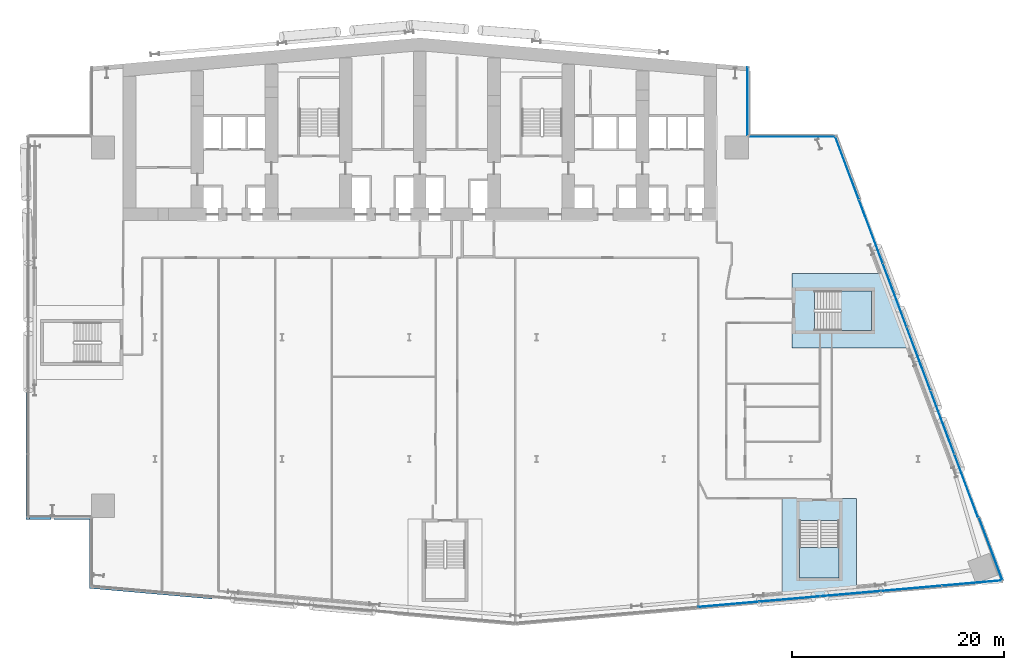
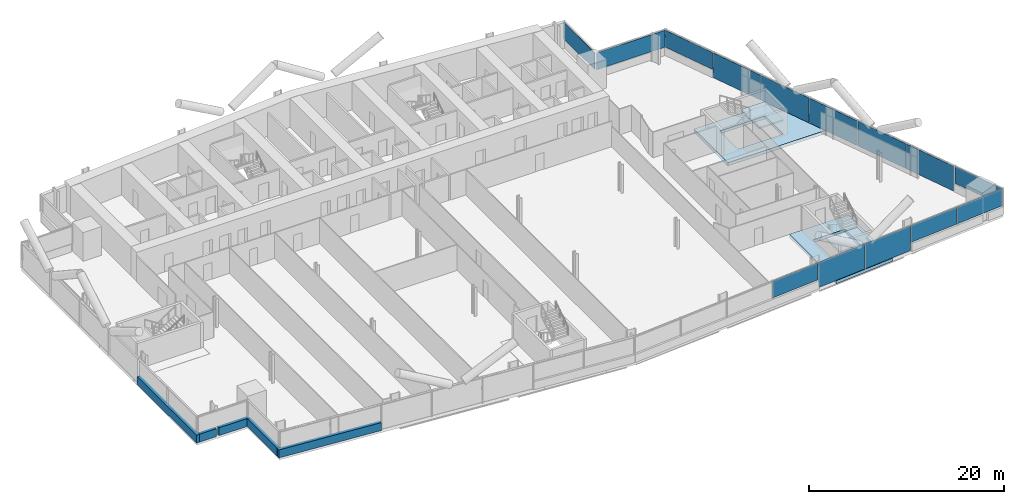
# One storey, part 12 of 25: 14 plates, 5 walls, 4 slabs, 6 elements without a shape of their own.
"""IFC4 building model written with IfcOpenShell, lengths in metres."""

from ifc_helpers import new_model, si_unit, direction, frame, frame_2d, origin, origin_2d, place, context, subcontext, project, spatial, polyline, rectangle, outline, extrude, material, layer, layer_set, type_object, element, aggregate, save


model = new_model("IFC4")

# Units and contexts
model_context = context("Model", 3, precision=1e-05, world=origin(), true_north=direction((0.0, 1.0)))
body_context = subcontext(model_context, "Body", "Model", "MODEL_VIEW")
ifc_project = project(units=[si_unit("LENGTHUNIT", "METRE"), si_unit("AREAUNIT", "SQUARE_METRE"), si_unit("VOLUMEUNIT", "CUBIC_METRE"), si_unit("PLANEANGLEUNIT", "RADIAN"), si_unit("MASSUNIT", "GRAM", prefix="KILO")], contexts=[model_context])

# Site, building, storey
site_placement = place(None, origin())
site = spatial("IfcSite", under=ifc_project, at=site_placement, CompositionType="ELEMENT")
building_placement = place(site_placement, origin())
building = spatial("IfcBuilding", under=site, at=building_placement, Name="Wharfspan Tower", CompositionType="ELEMENT")
storey_placement = place(building_placement, frame((0.0, 0.0, 70.300049)))
storey = spatial("IfcBuildingStorey", under=building, at=storey_placement, Name="L14", CompositionType="ELEMENT", Elevation=70.300049)

# Curtain wall, plates
ifc_material_1 = material(Name="Aluminium 6063-T6", Category="aluminium")
curtain_wall_type_1 = type_object("IfcCurtainWallType", Name="CURTAIN WALL FACETED FRONT", PredefinedType="NOTDEFINED", material=ifc_material_1)
curtain_wall_1_placement = place(storey_placement, origin())
curtain_wall_1 = element("IfcCurtainWall", 1, at=curtain_wall_1_placement, inside=storey, type_object=curtain_wall_type_1, Name="Curtain wall S2", PredefinedType="NOTDEFINED")
ifc_material_2 = material(Name="Glass clear low-iron double glazing", Category="glass")
ifc_layer_1 = layer(ifc_material_2, 0.040039)
ifc_layer_set_1 = layer_set([ifc_layer_1], Name="Glass clear low-iron double glazing")
plate_type_1 = type_object("IfcPlateType", Name="GLASS PANEL FACETED FRONT 40", PredefinedType="CURTAIN_PANEL", material=ifc_layer_set_1)
plate_1_placement = place(storey_placement, frame((66.119873, -2.204102, 1.0), z_axis=(0.0, 0.0, 1.0), x_axis=(0.996197, 0.087156, 0.0)))
plate_1 = element("IfcPlate", 2, at=plate_1_placement, type_object=plate_type_1, Name="Curtain wall S2 panel 4", PredefinedType="CURTAIN_PANEL", context=body_context, shape_type="SweptSolid", body=[
    extrude(rectangle(XDim=5.711914, YDim=0.040039, at=origin_2d()), origin(), (0.0, 0.0, 1.0), 2.120117),
])
plate_2_placement = place(storey_placement, frame((83.369873, -0.694824, 1.0), z_axis=(0.0, 0.0, 1.0), x_axis=(0.996197, 0.087156, 0.0)))
plate_2 = element("IfcPlate", 3, at=plate_2_placement, type_object=plate_type_1, Name="Curtain wall S2 panel 7", PredefinedType="CURTAIN_PANEL", context=body_context, shape_type="SweptSolid", body=[
    extrude(rectangle(XDim=5.711914, YDim=0.040039, at=origin_2d()), origin(), (0.0, 0.0, 1.0), 2.120117),
])
plate_3_placement = place(storey_placement, frame((89.104736, -0.193115, 1.0), z_axis=(0.0, 0.0, 1.0), x_axis=(0.996197, 0.087156, 0.0)))
plate_3 = element("IfcPlate", 4, at=plate_3_placement, type_object=plate_type_1, Name="Curtain wall S2 panel 8", PredefinedType="CURTAIN_PANEL", context=body_context, shape_type="SweptSolid", body=[
    extrude(rectangle(XDim=5.681885, YDim=0.040039, at=origin_2d()), origin(), (0.0, 0.0, 1.0), 2.120117),
])

curtain_wall_type_2 = type_object("IfcCurtainWallType", Name="CURTAIN WALL PROW AND END", PredefinedType="NOTDEFINED", material=ifc_material_1)
curtain_wall_2_placement = place(storey_placement, origin())
curtain_wall_2 = element("IfcCurtainWall", 5, at=curtain_wall_2_placement, inside=storey, type_object=curtain_wall_type_2, Name="Curtain wall E", PredefinedType="NOTDEFINED")
ifc_layer_2 = layer(ifc_material_2, 0.040039)
ifc_layer_set_2 = layer_set([ifc_layer_2], Name="Glass clear low-iron double glazing")
plate_type_2 = type_object("IfcPlateType", Name="GLASS PANEL PROW AND END 40", PredefinedType="CURTAIN_PANEL", material=ifc_layer_set_2)
plate_4_placement = place(storey_placement, frame((90.869629, 3.01416, 1.0), z_axis=(0.0, 0.0, 1.0), x_axis=(-0.351123, 0.936328, 0.0)))
plate_4 = element("IfcPlate", 6, at=plate_4_placement, type_object=plate_type_2, Name="Curtain wall E panel 1", PredefinedType="CURTAIN_PANEL", context=body_context, shape_type="SweptSolid", body=[
    extrude(rectangle(XDim=6.318115, YDim=0.040039, at=origin_2d()), origin(), (0.0, 0.0, 1.0), 2.120117),
])
plate_5_placement = place(storey_placement, frame((77.30542, 38.957764, 1.0), z_axis=(0.0, 0.0, 1.0), x_axis=(-0.351123, 0.936328, 0.0)))
plate_5 = element("IfcPlate", 7, at=plate_5_placement, type_object=plate_type_2, Name="Curtain wall E panel 7", PredefinedType="CURTAIN_PANEL", context=body_context, shape_type="SweptSolid", body=[
    extrude(rectangle(XDim=6.318115, YDim=0.040039, at=origin_2d()), origin(), (0.0, 0.0, 1.0), 2.120117),
])

# Curtain wall, plate
curtain_wall_3_placement = place(storey_placement, origin())
curtain_wall_3 = element("IfcCurtainWall", 8, at=curtain_wall_3_placement, inside=storey, type_object=curtain_wall_type_2, Name="Curtain wall NRE-H", PredefinedType="NOTDEFINED")
plate_6_placement = place(storey_placement, frame((72.125, 41.919922, 1.0), z_axis=(0.0, 0.0, 1.0), x_axis=(-1.0, 0.0, 0.0)))
plate_6 = element("IfcPlate", 9, at=plate_6_placement, type_object=plate_type_2, Name="Curtain wall NRE-H panel 1", PredefinedType="CURTAIN_PANEL", context=body_context, shape_type="SweptSolid", body=[
    extrude(rectangle(XDim=8.129883, YDim=0.040039, at=origin_2d()), origin(), (0.0, 0.0, 1.0), 2.120117),
])
aggregate(curtain_wall_3, [plate_6])

curtain_wall_4_placement = place(storey_placement, origin())
curtain_wall_4 = element("IfcCurtainWall", 10, at=curtain_wall_4_placement, inside=storey, type_object=curtain_wall_type_2, Name="Curtain wall NRE-V", PredefinedType="NOTDEFINED")
plate_7_placement = place(storey_placement, frame((67.919922, 45.262451, 1.0), z_axis=(0.0, 0.0, 1.0), x_axis=(0.0, 1.0, 0.0)))
plate_7 = element("IfcPlate", 11, at=plate_7_placement, type_object=plate_type_2, Name="Curtain wall NRE-V panel 1", PredefinedType="CURTAIN_PANEL", context=body_context, shape_type="SweptSolid", body=[
    extrude(rectangle(XDim=6.405029, YDim=0.040039, at=origin_2d()), origin(), (0.0, 0.0, 1.0), 2.120117),
])
aggregate(curtain_wall_4, [plate_7])

# Plate
ifc_material_3 = material(Name="Aluminium composite opaque insulated panel", Category="aluminium")
ifc_layer_3 = layer(ifc_material_3, 0.040039)
ifc_layer_set_3 = layer_set([ifc_layer_3], Name="Aluminium composite opaque insulated panel")
plate_type_3 = type_object("IfcPlateType", Name="INFILL PANEL FACETED FRONT OPAQUE 40", PredefinedType="SHEET", material=ifc_layer_set_3)
plate_8_placement = place(storey_placement, frame((71.869873, -1.700928, 0.0), z_axis=(0.0, 0.0, 1.0), x_axis=(0.996197, 0.087156, 0.0)))
plate_8 = element("IfcPlate", 12, at=plate_8_placement, type_object=plate_type_3, Name="Curtain wall S2 panel 5", PredefinedType="SHEET", context=body_context, shape_type="SweptSolid", body=[
    extrude(rectangle(XDim=5.711914, YDim=0.040039, at=origin_2d()), origin(), (0.0, 0.0, 1.0), 3.120117),
])

plate_9_placement = place(storey_placement, frame((77.619873, -1.197998, 0.0), z_axis=(0.0, 0.0, 1.0), x_axis=(0.996197, 0.087156, 0.0)))
plate_9 = element("IfcPlate", 13, at=plate_9_placement, type_object=plate_type_3, Name="Curtain wall S2 panel 6", PredefinedType="SHEET", context=body_context, shape_type="SweptSolid", body=[
    extrude(rectangle(XDim=5.711914, YDim=0.040039, at=origin_2d()), origin(), (0.0, 0.0, 1.0), 3.120117),
])

aggregate(curtain_wall_1, [plate_1, plate_8, plate_9, plate_2, plate_3])

ifc_layer_4 = layer(ifc_material_3, 0.040039)
ifc_layer_set_4 = layer_set([ifc_layer_4], Name="Aluminium composite opaque insulated panel")
plate_type_4 = type_object("IfcPlateType", Name="INFILL PANEL PROW AND END OPAQUE 40", PredefinedType="SHEET", material=ifc_layer_set_4)
plate_10_placement = place(storey_placement, frame((88.550049, 8.971924, 0.0), z_axis=(0.0, 0.0, 1.0), x_axis=(-0.351123, 0.936328, 0.0)))
plate_10 = element("IfcPlate", 14, at=plate_10_placement, type_object=plate_type_4, Name="Curtain wall E panel 2", PredefinedType="SHEET", context=body_context, shape_type="SweptSolid", body=[
    extrude(rectangle(XDim=6.3479, YDim=0.040039, at=origin_2d()), origin(), (0.0, 0.0, 1.0), 3.120117),
])

plate_11_placement = place(storey_placement, frame((86.300049, 14.971924, 0.0), z_axis=(0.0, 0.0, 1.0), x_axis=(-0.351123, 0.936328, 0.0)))
plate_11 = element("IfcPlate", 15, at=plate_11_placement, type_object=plate_type_4, Name="Curtain wall E panel 3", PredefinedType="SHEET", context=body_context, shape_type="SweptSolid", body=[
    extrude(rectangle(XDim=6.3479, YDim=0.040039, at=origin_2d()), origin(), (0.0, 0.0, 1.0), 3.120117),
])

plate_12_placement = place(storey_placement, frame((84.050049, 20.971924, 0.0), z_axis=(0.0, 0.0, 1.0), x_axis=(-0.351123, 0.936328, 0.0)))
plate_12 = element("IfcPlate", 16, at=plate_12_placement, type_object=plate_type_4, Name="Curtain wall E panel 4", PredefinedType="SHEET", context=body_context, shape_type="SweptSolid", body=[
    extrude(rectangle(XDim=6.3479, YDim=0.040039, at=origin_2d()), origin(), (0.0, 0.0, 1.0), 3.120117),
])

plate_13_placement = place(storey_placement, frame((81.800049, 26.971924, 0.0), z_axis=(0.0, 0.0, 1.0), x_axis=(-0.351123, 0.936328, 0.0)))
plate_13 = element("IfcPlate", 17, at=plate_13_placement, type_object=plate_type_4, Name="Curtain wall E panel 5", PredefinedType="SHEET", context=body_context, shape_type="SweptSolid", body=[
    extrude(rectangle(XDim=6.3479, YDim=0.040039, at=origin_2d()), origin(), (0.0, 0.0, 1.0), 3.120117),
])

plate_14_placement = place(storey_placement, frame((79.550049, 32.971924, 0.0), z_axis=(0.0, 0.0, 1.0), x_axis=(-0.351123, 0.936328, 0.0)))
plate_14 = element("IfcPlate", 18, at=plate_14_placement, type_object=plate_type_4, Name="Curtain wall E panel 6", PredefinedType="SHEET", context=body_context, shape_type="SweptSolid", body=[
    extrude(rectangle(XDim=6.3479, YDim=0.040039, at=origin_2d()), origin(), (0.0, 0.0, 1.0), 3.120117),
])

aggregate(curtain_wall_2, [plate_4, plate_10, plate_11, plate_12, plate_13, plate_14, plate_5])

# Slabs
ifc_material_4 = material(Name="Concrete C40/50", Category="concrete")
ifc_layer_5 = layer(ifc_material_4, 0.399902)
ifc_layer_set_5 = layer_set([ifc_layer_5], Name="Concrete C40/50")
slab_type_1 = type_object("IfcSlabType", Name="Post-tensioned flat slab 400", PredefinedType="FLOOR", material=ifc_layer_set_5)
slab_1_placement = place(storey_placement, frame((0.0, 0.0, -0.400146)))
element("IfcSlab", 19, at=slab_1_placement, inside=storey, type_object=slab_type_1, Name="Core floor slab L14 part 5", PredefinedType="FLOOR", context=body_context, shape_type="SweptSolid", body=[
    extrude(outline(polyline([(78.192383, 7.791992), (76.867432, 7.791992), (72.517578, 7.791992), (71.192383, 7.791992), (71.192383, -1.820312), (78.192383, -1.208008), (78.192383, 7.791992)]), holes=[polyline([(76.567383, 5.694092), (76.567627, 5.694092), (76.567871, 5.694092), (76.568115, 5.693848), (76.568115, 5.693848), (76.568359, 5.693848), (76.568604, 5.693604), (76.568604, 5.693604), (76.568848, 5.693359), (76.569092, 5.693359), (76.569092, 5.693115), (76.569092, 5.692871), (76.569336, 5.692871), (76.569336, 5.692627), (76.569336, 5.692383), (76.56958, 5.692139), (76.56958, 5.691895), (76.56958, 0.291992), (76.56958, 0.291748), (76.569336, 0.291504), (76.569336, 0.291504), (76.569336, 0.29126), (76.569092, 0.291016), (76.569092, 0.291016), (76.569092, 0.290771), (76.568848, 0.290527), (76.568604, 0.290527), (76.568604, 0.290283), (76.568359, 0.290283), (76.568115, 0.290283), (76.568115, 0.290039), (76.567871, 0.290039), (76.567627, 0.290039), (76.567383, 0.290039), (72.817383, 0.290039), (72.817383, 0.290039), (72.817139, 0.290039), (72.816895, 0.290039), (72.81665, 0.290283), (72.816406, 0.290283), (72.816406, 0.290283), (72.816162, 0.290527), (72.816162, 0.290527), (72.815918, 0.290771), (72.815918, 0.291016), (72.815674, 0.291016), (72.815674, 0.29126), (72.815674, 0.291504), (72.81543, 0.291504), (72.81543, 0.291748), (72.81543, 0.291992), (72.81543, 5.691895), (72.81543, 5.692139), (72.81543, 5.692383), (72.815674, 5.692627), (72.815674, 5.692871), (72.815674, 5.692871), (72.815918, 5.693115), (72.815918, 5.693359), (72.816162, 5.693359), (72.816162, 5.693604), (72.816406, 5.693604), (72.816406, 5.693848), (72.81665, 5.693848), (72.816895, 5.693848), (72.817139, 5.694092), (72.817383, 5.694092), (72.817383, 5.694092), (76.567383, 5.694092)])]), origin(), (0.0, 0.0, 1.0), 0.400146),
])
slab_2_placement = place(storey_placement, frame((0.0, 0.0, -0.400146)))
element("IfcSlab", 20, at=slab_2_placement, inside=storey, type_object=slab_type_1, Name="Core floor slab L14 part 6", PredefinedType="FLOOR", context=body_context, shape_type="SweptSolid", body=[
    extrude(outline(polyline([(81.125, 29.0), (72.125, 29.0), (72.125, 27.675049), (72.125, 23.324951), (72.125, 22.0), (83.75, 22.0), (81.125, 29.0)]), holes=[polyline([(74.2229, 27.375), (74.2229, 27.375244), (74.2229, 27.375488), (74.223145, 27.375488), (74.223145, 27.375732), (74.223145, 27.375977), (74.223389, 27.376221), (74.223389, 27.376221), (74.223633, 27.376465), (74.223633, 27.376465), (74.223877, 27.376709), (74.224121, 27.376709), (74.224121, 27.376709), (74.224365, 27.376953), (74.224609, 27.376953), (74.224854, 27.376953), (74.225098, 27.376953), (79.625, 27.376953), (79.625244, 27.376953), (79.625488, 27.376953), (79.625488, 27.376953), (79.625732, 27.376709), (79.625977, 27.376709), (79.626221, 27.376709), (79.626221, 27.376465), (79.626465, 27.376465), (79.626465, 27.376221), (79.626709, 27.376221), (79.626709, 27.375977), (79.626709, 27.375732), (79.626953, 27.375488), (79.626953, 27.375488), (79.626953, 27.375244), (79.626953, 27.375), (79.626953, 23.625), (79.626953, 23.624756), (79.626953, 23.624512), (79.626953, 23.624512), (79.626709, 23.624268), (79.626709, 23.624023), (79.626709, 23.623779), (79.626465, 23.623779), (79.626465, 23.623535), (79.626221, 23.623535), (79.626221, 23.623291), (79.625977, 23.623291), (79.625732, 23.623291), (79.625488, 23.623047), (79.625488, 23.623047), (79.625244, 23.623047), (79.625, 23.623047), (74.225098, 23.623047), (74.224854, 23.623047), (74.224609, 23.623047), (74.224365, 23.623047), (74.224121, 23.623291), (74.224121, 23.623291), (74.223877, 23.623291), (74.223633, 23.623535), (74.223633, 23.623535), (74.223389, 23.623779), (74.223389, 23.623779), (74.223145, 23.624023), (74.223145, 23.624268), (74.223145, 23.624512), (74.2229, 23.624512), (74.2229, 23.624756), (74.2229, 23.625), (74.2229, 27.375)])]), origin(), (0.0, 0.0, 1.0), 0.400146),
])

# Stair, slab
stair_type = type_object("IfcStairType", Name="Half-turn stair 20 risers 180 mm", PredefinedType="HALF_TURN_STAIR", material=ifc_material_4)
stair_1_placement = place(storey_placement, origin())
stair_1 = element("IfcStair", 21, at=stair_1_placement, inside=storey, type_object=stair_type, Name="L14 stair ST5", PredefinedType="HALF_TURN_STAIR")
ifc_layer_6 = layer(ifc_material_4, 0.199951)
ifc_layer_set_6 = layer_set([ifc_layer_6], Name="Concrete C40/50")
slab_type_2 = type_object("IfcSlabType", Name="Stair landing 200", PredefinedType="LANDING", material=ifc_layer_set_6)
slab_3_placement = place(storey_placement, frame((0.0, 0.0, 1.599854)))
slab_3 = element("IfcSlab", 22, at=slab_3_placement, type_object=slab_type_2, Name="ST5 landing 1", PredefinedType="LANDING", context=body_context, shape_type="SweptSolid", body=[
    extrude(outline(polyline([(72.817383, 3.172119), (72.817383, 0.291992), (76.567383, 0.291992), (76.567383, 3.172119), (72.817383, 3.172119)])), origin(), (0.0, 0.0, 1.0), 0.200195),
])
aggregate(stair_1, [slab_3])

stair_2_placement = place(storey_placement, origin())
stair_2 = element("IfcStair", 23, at=stair_2_placement, inside=storey, type_object=stair_type, Name="L14 stair ST6", PredefinedType="HALF_TURN_STAIR")
slab_4_placement = place(storey_placement, frame((0.0, 0.0, 1.599854)))
slab_4 = element("IfcSlab", 24, at=slab_4_placement, type_object=slab_type_2, Name="ST6 landing 1", PredefinedType="LANDING", context=body_context, shape_type="SweptSolid", body=[
    extrude(outline(polyline([(76.745117, 23.625), (79.625, 23.625), (79.625, 27.375), (76.745117, 27.375), (76.745117, 23.625)])), origin(), (0.0, 0.0, 1.0), 0.200195),
])
aggregate(stair_2, [slab_4])

# Walls
ifc_layer_7 = layer(ifc_material_4, 0.350098)
ifc_layer_set_7 = layer_set([ifc_layer_7], Name="Concrete C40/50")
wall_type = type_object("IfcWallType", Name="SPANDREL EXPOSED CONCRETE 350", PredefinedType="SOLIDWALL", material=ifc_layer_set_7)
wall_1_placement = place(storey_placement, frame((5.835205, -0.515625, 0.0), z_axis=(0.0, 0.0, 1.0), x_axis=(0.996192, -0.087142, 0.0)))
element("IfcWall", 25, at=wall_1_placement, inside=storey, type_object=wall_type, Name="Spandrel upstand L14 S1 1", PredefinedType="SOLIDWALL", context=body_context, shape_type="SweptSolid", body=[
    extrude(rectangle(XDim=11.607178, YDim=0.350098, at=frame_2d((5.803711, 0.0))), origin(), (0.0, 0.0, 1.0), 1.0),
])
wall_2_placement = place(storey_placement, frame((-0.004883, 17.969971, 0.0), z_axis=(0.0, 0.0, 1.0), x_axis=(0.0, -1.0, 0.0)))
element("IfcWall", 26, at=wall_2_placement, inside=storey, type_object=wall_type, Name="Spandrel upstand L14 W", PredefinedType="SOLIDWALL", context=body_context, shape_type="SweptSolid", body=[
    extrude(rectangle(XDim=12.149902, YDim=0.350098, at=frame_2d((6.074951, 0.0))), origin(), (0.0, 0.0, 1.0), 1.0),
])
wall_3_placement = place(storey_placement, frame((0.169922, 5.995117, 0.0), z_axis=(0.0, 0.0, 1.0), x_axis=(1.0, 0.0, 0.0)))
element("IfcWall", 27, at=wall_3_placement, inside=storey, type_object=wall_type, Name="Spandrel upstand L14 NFW-H", PredefinedType="SOLIDWALL", context=body_context, shape_type="SweptSolid", body=[
    extrude(rectangle(XDim=2.010742, YDim=0.350098, at=frame_2d((1.005371, 0.0))), origin(), (0.0, 0.0, 1.0), 1.0),
])
wall_4_placement = place(storey_placement, frame((2.482666, 5.995117, 0.0), z_axis=(0.0, 0.0, 1.0), x_axis=(1.0, 0.0, 0.0)))
element("IfcWall", 28, at=wall_4_placement, inside=storey, type_object=wall_type, Name="Spandrel upstand L14 NFW-H 2", PredefinedType="SOLIDWALL", context=body_context, shape_type="SweptSolid", body=[
    extrude(rectangle(XDim=3.517334, YDim=0.350098, at=frame_2d((1.758789, 0.0))), origin(), (0.0, 0.0, 1.0), 1.0),
])
wall_5_placement = place(storey_placement, frame((5.995117, 5.820068, 0.0), z_axis=(0.0, 0.0, 1.0), x_axis=(0.0, -1.0, 0.0)))
element("IfcWall", 29, at=wall_5_placement, inside=storey, type_object=wall_type, Name="Spandrel upstand L14 NFW-V", PredefinedType="SOLIDWALL", context=body_context, shape_type="SweptSolid", body=[
    extrude(rectangle(XDim=6.161377, YDim=0.350098, at=frame_2d((3.080566, 0.0))), origin(), (0.0, 0.0, 1.0), 1.0),
])

save(model, "model.ifc")
